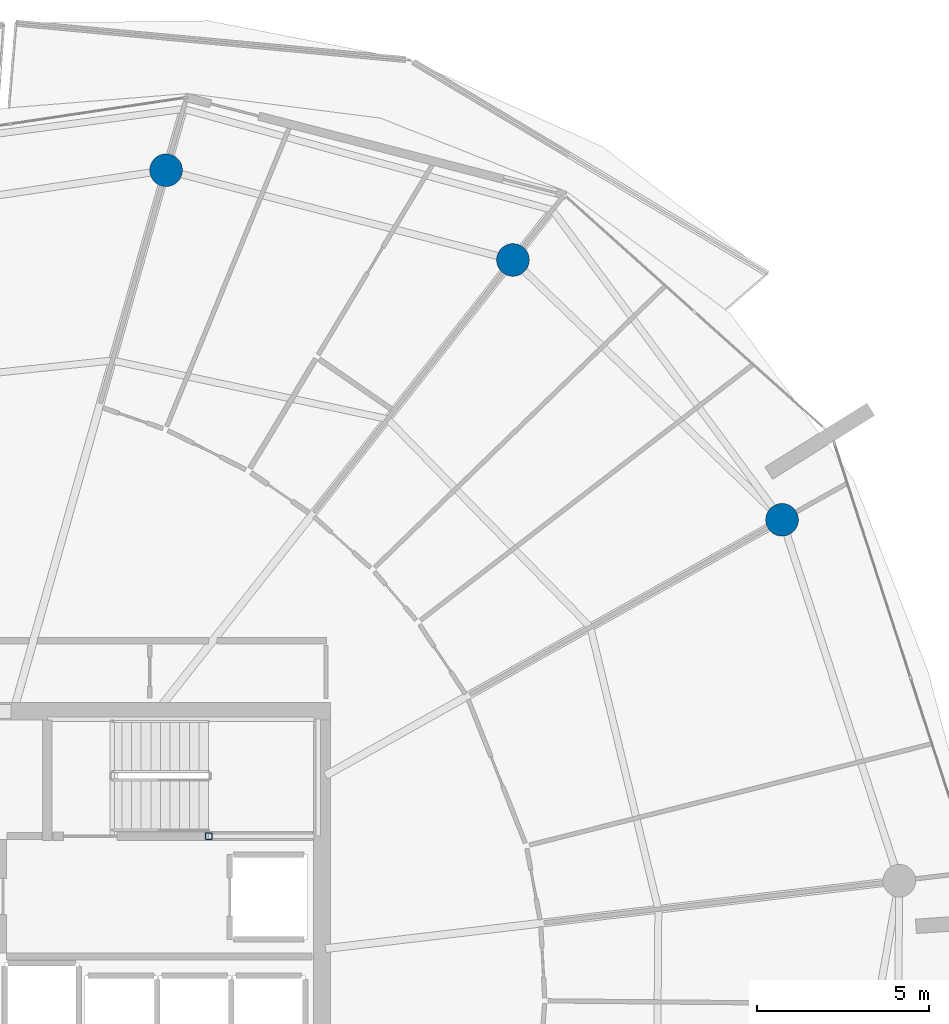
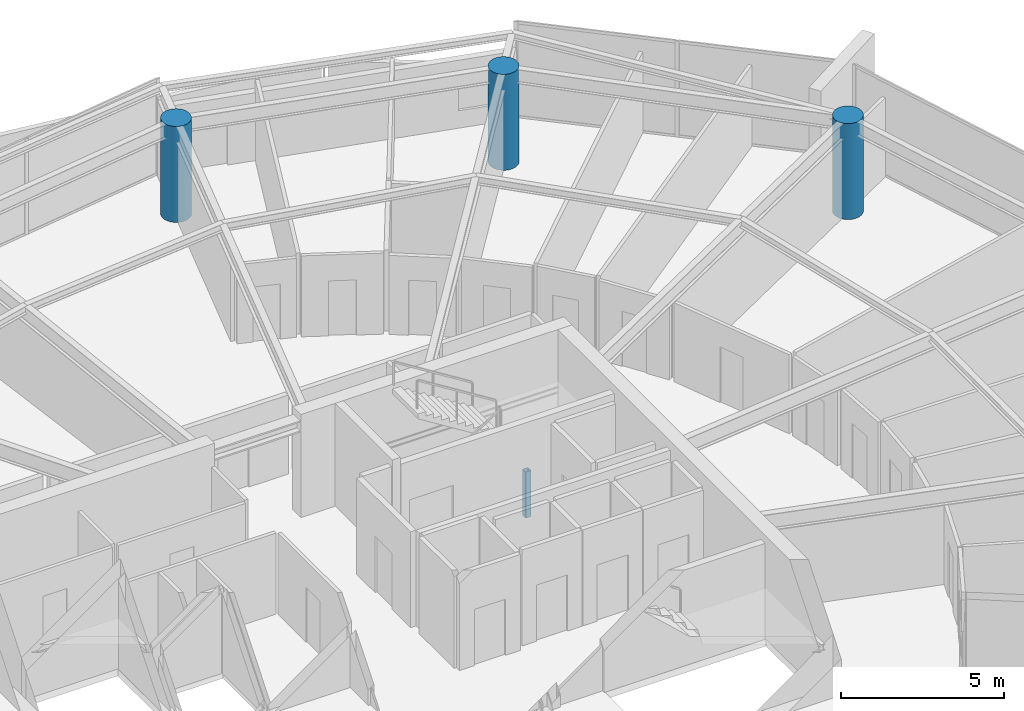
# One storey, part 5 of 30: 4 columns.
"""IFC4 building model written with IfcOpenShell, lengths in metres."""

from ifc_helpers import new_model, si_unit, direction, frame, origin, origin_2d, place, context, subcontext, project, spatial, hollow_rectangle, circle, extrude, material, material_profile, profile_set, type_object, element, save


model = new_model("IFC4")

# Units and contexts
model_context = context("Model", 3, precision=1e-05, world=origin(), true_north=direction((0.0, 1.0)))
body_context = subcontext(model_context, "Body", "Model", "MODEL_VIEW")
ifc_project = project(units=[si_unit("LENGTHUNIT", "METRE"), si_unit("AREAUNIT", "SQUARE_METRE"), si_unit("VOLUMEUNIT", "CUBIC_METRE"), si_unit("PLANEANGLEUNIT", "RADIAN"), si_unit("MASSUNIT", "GRAM", prefix="KILO")], contexts=[model_context])

# Site, building, storey
site_placement = place(None, origin())
site = spatial("IfcSite", under=ifc_project, at=site_placement, CompositionType="ELEMENT")
building_placement = place(site_placement, origin())
building = spatial("IfcBuilding", under=site, at=building_placement, Name="Kazma Halo Residences", CompositionType="ELEMENT")
storey_placement = place(building_placement, frame((0.0, 0.0, 279.050048828125)))
storey = spatial("IfcBuildingStorey", under=building, at=storey_placement, Name="L70", CompositionType="ELEMENT", Elevation=279.050048828125)

# Columns
ifc_material_1 = material(Name="Steel S355", Category="steel")
ifc_material_profile_1 = material_profile(ifc_material_1, hollow_rectangle(XDim=0.199951171875, YDim=0.199951171875, WallThickness=0.010009765625, InnerFilletRadius=0.010009765625, OuterFilletRadius=0.02001953125, at=origin_2d()), Name="SHS200x200x10")
ifc_profile_set_1 = profile_set([ifc_material_profile_1], Name="Steel S355")
column_type_1 = type_object("IfcColumnType", Name="COL-LP-SHS200", PredefinedType="COLUMN", material=ifc_profile_set_1)
column_placement = place(storey_placement, frame((56.0, 46.6201171875, 0.0), z_axis=(0.0, 0.0, 1.0), x_axis=(1.0, 0.0, 0.0)))
element("IfcColumn", 1, at=column_placement, inside=storey, type_object=column_type_1, Name="L70 ST-02 landing pilaster 1", PredefinedType="COLUMN", context=body_context, shape_type="SweptSolid", body=[
    extrude(hollow_rectangle(XDim=0.199951171875, YDim=0.199951171875, WallThickness=0.010009765625, InnerFilletRadius=0.010009765625, OuterFilletRadius=0.02001953125, at=origin_2d()), origin(), (0.0, 0.0, 1.0), 1.719970703125),
])
ifc_material_2 = material(Name="Concrete C60/75", Category="concrete")
ifc_material_profile_2 = material_profile(ifc_material_2, circle(Radius=0.47509765625, at=origin_2d()), Name="CIRC950")
ifc_profile_set_2 = profile_set([ifc_material_profile_2], Name="Concrete C60/75")
column_type_2 = type_object("IfcColumnType", Name="COL-PERIM-950", PredefinedType="COLUMN", material=ifc_profile_set_2)
for number, where, z_axis, x_axis, name in (
    (2, (72.67041015625, 55.81591796875, 0.0), (0.0, 0.0, 1.0), (1.0, 0.0, 0.0), "L70 perimeter ring column P01"),
    (3, (64.84716796875, 63.37060546875, 0.0), (0.0, 0.0, 1.0), (1.0, 0.0, 0.0), "L70 perimeter ring column P02"),
    (4, (54.762939453125, 65.9794921875, 0.0), (0.0, 0.0, 1.0), (1.0, 0.0, 0.0), "L70 perimeter ring column P03"),
):
    element("IfcColumn", number, at=place(storey_placement, frame(where, z_axis=z_axis, x_axis=x_axis)), inside=storey, type_object=column_type_2, Name=name, PredefinedType="COLUMN", context=body_context, shape_type="SweptSolid", body=[
        extrude(circle(Radius=0.47509765625, at=origin_2d()), origin(), (0.0, 0.0, 1.0), 3.58984375),
    ])

save(model, "model.ifc")
